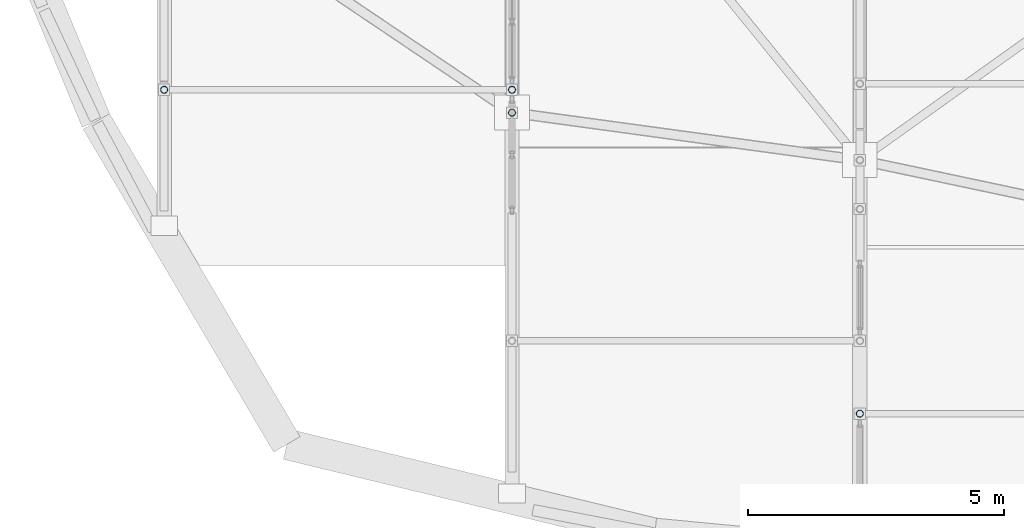
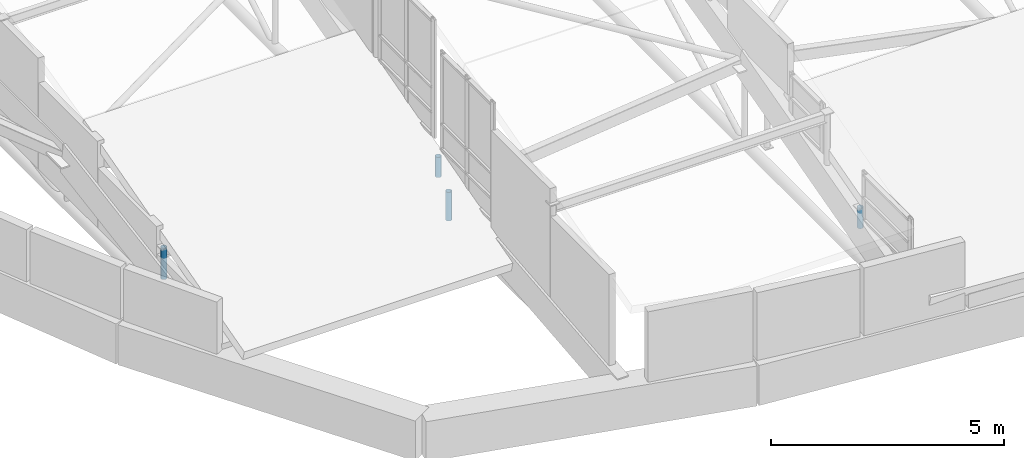
# One storey, part 127 of 188: 4 members.
"""IFC4 building model written with IfcOpenShell, lengths in metres."""

from ifc_helpers import new_model, si_unit, direction, frame, origin, origin_2d, place, context, subcontext, project, spatial, hollow_circle, extrude, material, material_profile, profile_set, type_object, element, save


model = new_model("IFC4")

# Units and contexts
model_context = context("Model", 3, precision=1e-05, world=origin(), true_north=direction((0.0, 1.0)))
body_context = subcontext(model_context, "Body", "Model", "MODEL_VIEW")
ifc_project = project(units=[si_unit("LENGTHUNIT", "METRE"), si_unit("AREAUNIT", "SQUARE_METRE"), si_unit("VOLUMEUNIT", "CUBIC_METRE"), si_unit("PLANEANGLEUNIT", "RADIAN"), si_unit("MASSUNIT", "GRAM", prefix="KILO")], contexts=[model_context])

# Site, building, storey
site_placement = place(None, origin())
site = spatial("IfcSite", under=ifc_project, at=site_placement, CompositionType="ELEMENT")
building_placement = place(site_placement, origin())
building = spatial("IfcBuilding", under=site, at=building_placement, Name="Kisaragi Civic Commons", CompositionType="ELEMENT")
storey_placement = place(building_placement, frame((0.0, 0.0, 9.60009765625)))
storey = spatial("IfcBuildingStorey", under=building, at=storey_placement, Name="L02", CompositionType="ELEMENT", Elevation=9.60009765625)

# Members
ifc_material = material(Name="Steel SN490 (SN490B)", Category="steel")
ifc_material_profile = material_profile(ifc_material, hollow_circle(Radius=0.06982421875, WallThickness=0.006103515625, at=origin_2d()), Name="CHS-139.8x6.0", Category="steel")
ifc_profile_set = profile_set([ifc_material_profile], Name="Steel SN490 (SN490B)")
member_type = type_object("IfcMemberType", Name="ST-H1", PredefinedType="STRUT", material=ifc_profile_set)
member_1_placement = place(storey_placement, frame((13.60009765625, 10.28564453125, -0.691162109375), z_axis=(0.0, 0.0, 1.0), x_axis=(1.0, 0.0, 0.0)))
element("IfcMember", 1, at=member_1_placement, inside=storey, type_object=member_type, Name="V1 arch tie hanger strut 30", PredefinedType="STRUT", context=body_context, shape_type="SweptSolid", body=[
    extrude(hollow_circle(Radius=0.06982421875, WallThickness=0.006103515625, at=origin_2d()), origin(), (0.0, 0.0, 1.0), 0.75146484375),
])
member_2_placement = place(storey_placement, frame((6.800048828125, 10.732666015625, -0.114501953125), z_axis=(0.0, 0.0, 1.0), x_axis=(1.0, 0.0, 0.0)))
element("IfcMember", 2, at=member_2_placement, inside=storey, type_object=member_type, Name="V1 clerestory monitor horizontal tie strut 2.1.1", PredefinedType="STRUT", context=body_context, shape_type="SweptSolid", body=[
    extrude(hollow_circle(Radius=0.06982421875, WallThickness=0.006103515625, at=origin_2d()), origin(), (0.0, 0.0, 1.0), 0.819580078125),
])
member_3_placement = place(storey_placement, frame((13.60009765625, 10.732666015625, 0.1787109375), z_axis=(0.0, 0.0, 1.0), x_axis=(1.0, 0.0, 0.0)))
element("IfcMember", 3, at=member_3_placement, inside=storey, type_object=member_type, Name="V1 clerestory monitor horizontal tie strut 2.2.1", PredefinedType="STRUT", context=body_context, shape_type="SweptSolid", body=[
    extrude(hollow_circle(Radius=0.06982421875, WallThickness=0.006103515625, at=origin_2d()), origin(), (0.0, 0.0, 1.0), 0.5263671875),
])
member_4_placement = place(storey_placement, frame((20.39990234375, 4.4013671875, 0.297607421875), z_axis=(0.0, 0.0, 1.0), x_axis=(1.0, 0.0, 0.0)))
element("IfcMember", 4, at=member_4_placement, inside=storey, type_object=member_type, Name="V1 clerestory monitor horizontal tie strut 4.3.1", PredefinedType="STRUT", context=body_context, shape_type="SweptSolid", body=[
    extrude(hollow_circle(Radius=0.06982421875, WallThickness=0.006103515625, at=origin_2d()), origin(), (0.0, 0.0, 1.0), 0.534912109375),
])

save(model, "model.ifc")
